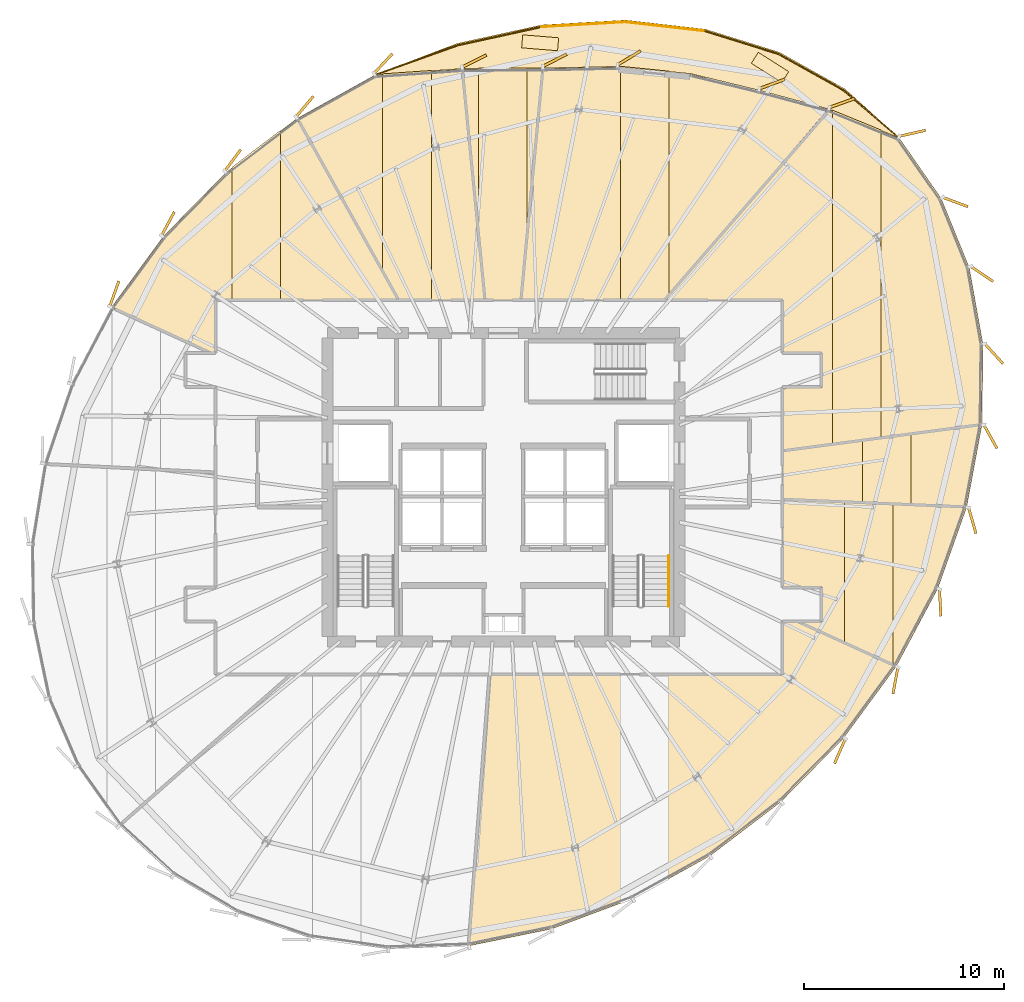
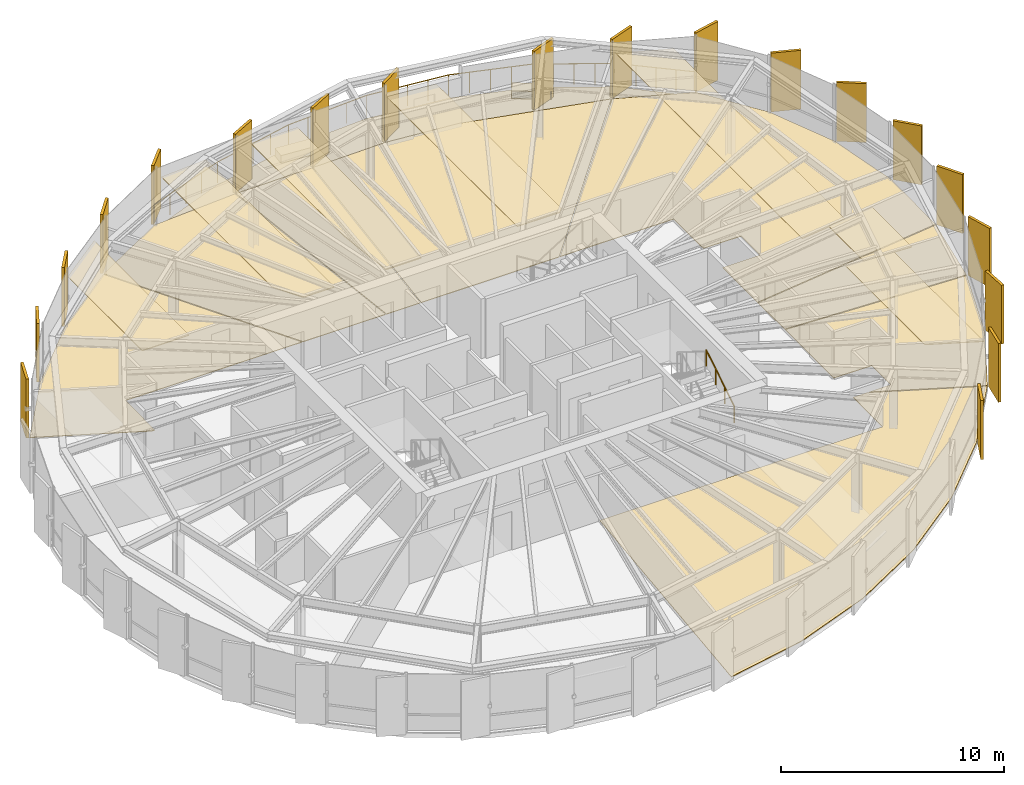
# One storey, part 37 of 37: 37 coverings, 8 railings.
"""IFC4 building model written with IfcOpenShell, lengths in metres."""

import ifcopenshell
import ifcopenshell.guid

model = None  # the IFC model being written
_history = None  # IfcOwnerHistory: only IFC2X3 demands one
_inside = {}  # id of a spatial element -> (the spatial element, [elements in it])
_under = {}  # id of a project, library or spatial element -> (it, [spatial elements below it])
_declared = {}  # id of a project -> (the project, [libraries it declares])
_typed = {}  # id of a type object -> (the type object, [elements of that type])
_made_of = {}  # id of a material, layer set ... -> (it, [elements and type objects made of it])


def new_model(schema):
    """Start an empty IFC model of exactly this schema.

    Asked for "IFC4X3", IfcOpenShell would pick the latest addendum, in which some entities
    have other attributes; the version numbers below select the first issue.
    IFC2X3 requires an IfcOwnerHistory on every rooted entity: one is made here for all.
    """
    global model, _history
    if schema == "IFC4X3":
        model = ifcopenshell.file(schema_version=(4, 3, 0, 0))
    else:
        model = ifcopenshell.file(schema=schema)
    _inside.clear()
    _under.clear()
    _declared.clear()
    _typed.clear()
    _made_of.clear()
    _history = None
    if model.schema == "IFC2X3":
        org = make("IfcOrganization", Name="unknown")
        user = make(
            "IfcPersonAndOrganization",
            ThePerson=make("IfcPerson", FamilyName="unknown"),
            TheOrganization=org,
        )
        app = make(
            "IfcApplication",
            ApplicationDeveloper=org,
            Version="unknown",
            ApplicationFullName="unknown",
            ApplicationIdentifier="unknown",
        )
        _history = make(
            "IfcOwnerHistory",
            OwningUser=user,
            OwningApplication=app,
            ChangeAction="ADDED",
            CreationDate=0,
        )
    return model


def make(cls, **values):
    """One entity of the class cls with the attributes given. An attribute that is None is left unset."""
    return model.create_entity(
        cls, **{name: value for name, value in values.items() if value is not None}
    )


def rooted(cls, **values):
    """An entity with a GlobalId (a new one), such as an element, a storey or a relation."""
    return make(cls, GlobalId=ifcopenshell.guid.new(), OwnerHistory=_history, **values)


def si_unit(unit_type, name, prefix=None):
    """IfcSIUnit, for example si_unit("LENGTHUNIT", "METRE", prefix="MILLI")."""
    return make("IfcSIUnit", UnitType=unit_type, Prefix=prefix, Name=name)


def assignment(units):
    """IfcUnitAssignment: the units of a project."""
    return None if units is None else make("IfcUnitAssignment", Units=units)


def point(xyz):
    """IfcCartesianPoint."""
    return None if xyz is None else make("IfcCartesianPoint", Coordinates=xyz)


def direction(xyz):
    """IfcDirection."""
    return None if xyz is None else make("IfcDirection", DirectionRatios=xyz)


def frame(location, z_axis=None, x_axis=None):
    """IfcAxis2Placement3D, a coordinate frame: its origin and axes. An axis left out is left unset."""
    return make(
        "IfcAxis2Placement3D",
        Location=point(location),
        Axis=direction(z_axis),
        RefDirection=direction(x_axis),
    )


def frame_2d(location, x_axis=None):
    """IfcAxis2Placement2D, a coordinate frame in the plane: its origin and x axis."""
    return make(
        "IfcAxis2Placement2D", Location=point(location), RefDirection=direction(x_axis)
    )


def origin():
    """The frame at (0, 0, 0) with its axes left unset."""
    return frame((0.0, 0.0, 0.0))


def origin_2d():
    """The frame at (0, 0) in the plane with its x axis left unset."""
    return frame_2d((0.0, 0.0))


def place(relative_to, where):
    """IfcLocalPlacement: puts the frame where relative to a parent placement (None: the world)."""
    return make(
        "IfcLocalPlacement", PlacementRelTo=relative_to, RelativePlacement=where
    )


def context(
    kind, dimensions, precision=None, world=None, true_north=None, identifier=None
):
    """IfcGeometricRepresentationContext, for example the 3D "Model" context."""
    return make(
        "IfcGeometricRepresentationContext",
        ContextIdentifier=identifier,
        ContextType=kind,
        CoordinateSpaceDimension=dimensions,
        Precision=precision,
        WorldCoordinateSystem=world,
        TrueNorth=true_north,
    )


def subcontext(parent, identifier, kind, view, scale=None):
    """IfcGeometricRepresentationSubContext, for example "Body" below "Model"."""
    return make(
        "IfcGeometricRepresentationSubContext",
        ContextIdentifier=identifier,
        ContextType=kind,
        ParentContext=parent,
        TargetScale=scale,
        TargetView=view,
    )


def project(units=None, contexts=None):
    """IfcProject with its units and contexts."""
    return rooted(
        "IfcProject",
        Name="project",
        RepresentationContexts=contexts,
        UnitsInContext=assignment(units),
    )


def spatial(cls, under=None, at=None, **own):
    """A site, building, storey or space (cls), placed at a placement, below another one or the project."""
    s = rooted(cls, ObjectPlacement=at, **own)
    if under is not None:
        _under.setdefault(under.id(), (under, []))[1].append(s)
    return s


def polyline(points):
    """IfcPolyline through the points."""
    return make("IfcPolyline", Points=[point(p) for p in points])


def profile(cls, at=None, kind="AREA", **sizes):
    """A parametric profile (cls). Its sizes go by their IFC names, for example OverallWidth=200.0."""
    return make(cls, ProfileType=kind, Position=at, **sizes)


def rectangle(**sizes):
    """IfcRectangleProfileDef."""
    return profile("IfcRectangleProfileDef", **sizes)


def circle(**sizes):
    """IfcCircleProfileDef."""
    return profile("IfcCircleProfileDef", **sizes)


def outline(outer, holes=None, kind="AREA"):
    """IfcArbitraryClosedProfileDef: a profile drawn as a closed curve; with holes, ...WithVoids."""
    if holes is None:
        return make("IfcArbitraryClosedProfileDef", ProfileType=kind, OuterCurve=outer)
    return make(
        "IfcArbitraryProfileDefWithVoids",
        ProfileType=kind,
        OuterCurve=outer,
        InnerCurves=holes,
    )


def extrude(swept, where, along, depth):
    """IfcExtrudedAreaSolid: the profile swept, set in the frame where, extruded along a direction by depth."""
    return make(
        "IfcExtrudedAreaSolid",
        SweptArea=swept,
        Position=where,
        ExtrudedDirection=direction(along),
        Depth=depth,
    )


def shape(context_of_items, identifier, shape_type, items):
    """IfcShapeRepresentation: the items that make up one representation, for example the "Body"."""
    return make(
        "IfcShapeRepresentation",
        ContextOfItems=context_of_items,
        RepresentationIdentifier=identifier,
        RepresentationType=shape_type,
        Items=items,
    )


def source(mapping_origin, context_of_items, identifier, shape_type, items):
    """IfcRepresentationMap: a shape defined once, which mapped items show again and again."""
    return make(
        "IfcRepresentationMap",
        MappingOrigin=mapping_origin,
        MappedRepresentation=shape(context_of_items, identifier, shape_type, items),
    )


def transform(
    local_origin,
    x_axis=None,
    y_axis=None,
    z_axis=None,
    scale=None,
    scale2=None,
    scale3=None,
    uniform=True,
):
    """IfcCartesianTransformationOperator3D, or its non-uniform kind. x_axis, y_axis, z_axis: its Axis1, 2, 3."""
    if uniform:
        return make(
            "IfcCartesianTransformationOperator3D",
            Axis1=direction(x_axis),
            Axis2=direction(y_axis),
            LocalOrigin=point(local_origin),
            Scale=scale,
            Axis3=direction(z_axis),
        )
    return make(
        "IfcCartesianTransformationOperator3DnonUniform",
        Axis1=direction(x_axis),
        Axis2=direction(y_axis),
        LocalOrigin=point(local_origin),
        Scale=scale,
        Axis3=direction(z_axis),
        Scale2=scale2,
        Scale3=scale3,
    )


def mapped(mapping_source, mapping_target):
    """IfcMappedItem: shows the shape of a source again, moved by a transform."""
    return make(
        "IfcMappedItem", MappingSource=mapping_source, MappingTarget=mapping_target
    )


def material(Name=None, Category=None):
    """IfcMaterial."""
    return make("IfcMaterial", Name=Name, Category=Category)


def layer(
    of_material, thickness, ventilated=None, Name=None, Category=None, Priority=None
):
    """IfcMaterialLayer: one layer of a wall or slab, of a material (None: an air gap)."""
    return make(
        "IfcMaterialLayer",
        Material=of_material,
        LayerThickness=thickness,
        IsVentilated=ventilated,
        Name=Name,
        Category=Category,
        Priority=Priority,
    )


def layer_set(layers, Name=None):
    """IfcMaterialLayerSet."""
    return make("IfcMaterialLayerSet", MaterialLayers=layers, LayerSetName=Name)


def made_of(thing, what):
    """Note that an element or type object is made of a material, layer set ...; save() writes the relation."""
    if what is not None:
        _made_of.setdefault(what.id(), (what, []))[1].append(thing)
    return thing


def type_object(cls, material=None, **own):
    """A type object (cls), such as IfcWallType, which elements share."""
    return made_of(rooted(cls, **own), material)


def element(
    cls,
    number,
    at=None,
    inside=None,
    cuts=None,
    type_object=None,
    material=None,
    context=None,
    identifier="Body",
    shape_type=None,
    held_by="IfcProductDefinitionShape",
    body=None,
    shapes=None,
    **own,
):
    """One element of the class cls, such as IfcWall. Its Tag is "e" and its number.

    at: its placement. inside: the storey or other place that contains it. cuts: it is an
    opening in that element (IfcRelVoidsElement). A single representation is given by context,
    identifier, shape_type and body (its items); several are given by shapes. held_by: the class
    of the entity that holds the representations. save() writes the other relations.
    """
    e = rooted(cls, Tag="e%d" % number, ObjectPlacement=at, **own)
    if body is not None:
        shapes = [shape(context, identifier, shape_type, body)]
    if shapes is not None:
        e.Representation = make(held_by, Representations=shapes)
    if inside is not None:
        _inside.setdefault(inside.id(), (inside, []))[1].append(e)
    if cuts is not None:
        rooted(
            "IfcRelVoidsElement", RelatingBuildingElement=cuts, RelatedOpeningElement=e
        )
    if type_object is not None:
        _typed.setdefault(type_object.id(), (type_object, []))[1].append(e)
    return made_of(e, material)


def aggregate(whole, parts):
    """IfcRelAggregates: a whole, such as a stair, and the parts it consists of."""
    return rooted("IfcRelAggregates", RelatingObject=whole, RelatedObjects=parts)


def save(model, path):
    """Write the relations noted so far, then the file.

    IfcRelAggregates (storeys below a building ...), IfcRelContainedInSpatialStructure (elements
    in a storey), IfcRelDefinesByType, IfcRelAssociatesMaterial and IfcRelDeclares: one each for
    every whole, place, type object, material and project.
    """
    for whole, parts in _under.values():
        aggregate(whole, parts)
    for where, things in _inside.values():
        rooted(
            "IfcRelContainedInSpatialStructure",
            RelatedElements=things,
            RelatingStructure=where,
        )
    for kind, things in _typed.values():
        rooted("IfcRelDefinesByType", RelatedObjects=things, RelatingType=kind)
    for what, things in _made_of.values():
        rooted("IfcRelAssociatesMaterial", RelatedObjects=things, RelatingMaterial=what)
    for by, libraries in _declared.values():
        rooted("IfcRelDeclares", RelatingContext=by, RelatedDefinitions=libraries)
    model.write(path)


model = new_model("IFC4")

# Units and contexts
model_context = context("Model", 3, precision=1e-05, world=origin(), true_north=direction((0.0, 1.0)))
body_context = subcontext(model_context, "Body", "Model", "MODEL_VIEW")
ifc_project = project(units=[si_unit("LENGTHUNIT", "METRE"), si_unit("AREAUNIT", "SQUARE_METRE"), si_unit("VOLUMEUNIT", "CUBIC_METRE"), si_unit("PLANEANGLEUNIT", "RADIAN"), si_unit("MASSUNIT", "GRAM", prefix="KILO"), si_unit("THERMODYNAMICTEMPERATUREUNIT", "KELVIN")], contexts=[model_context])

# Site, building, storey
site_placement = place(None, origin())
site = spatial("IfcSite", under=ifc_project, at=site_placement, CompositionType="ELEMENT")
building_placement = place(site_placement, origin())
building = spatial("IfcBuilding", under=site, at=building_placement, Name="Kethvar Cultural Tower", CompositionType="ELEMENT")
storey_placement = place(building_placement, frame((0.0, 0.0, 200.89990234375)))
storey = spatial("IfcBuildingStorey", under=building, at=storey_placement, Name="L52", CompositionType="ELEMENT", Elevation=200.89990234375)

# Coverings
ifc_material_1 = material(Name="Acoustic Mineral Fibre Ceiling")
ifc_layer_1 = layer(ifc_material_1, 0.0400390625, Name="Acoustic Mineral Fibre Ceiling")
ifc_layer_set_1 = layer_set([ifc_layer_1], Name="Acoustic Mineral Fibre Ceiling (40 mm)")
covering_type_1 = type_object("IfcCoveringType", Name="CV-ACOUSTIC-CEIL", PredefinedType="CEILING", material=ifc_layer_set_1)
covering_1_placement = place(storey_placement, frame((0.0, 0.0, 2.4501953125)))
element("IfcCovering", 1, at=covering_1_placement, inside=storey, type_object=covering_type_1, Name="L52 Room 03 Acoustic Ceiling Panel", PredefinedType="CEILING", context=body_context, shape_type="SweptSolid", body=[
    extrude(outline(polyline([(63.847900390625, 19.999267578125), (63.847900390625, 27.0830078125), (66.278076171875, 26.97802734375), (66.278076171875, 18.890380859375), (63.847900390625, 19.999267578125)])), origin(), (0.0, 0.0, 1.0), 0.039794921875),
])
covering_2_placement = place(storey_placement, frame((0.0, 0.0, 2.4501953125)))
element("IfcCovering", 2, at=covering_2_placement, inside=storey, type_object=covering_type_1, Name="L52 Room 04 Acoustic Ceiling Panel", PredefinedType="CEILING", context=body_context, shape_type="SweptSolid", body=[
    extrude(outline(polyline([(64.745361328125, 27.00439453125), (64.745361328125, 30.160400390625), (67.17529296875, 30.477294921875), (67.17529296875, 26.8994140625), (64.745361328125, 27.00439453125)])), origin(), (0.0, 0.0, 1.0), 0.039794921875),
])
covering_3_placement = place(storey_placement, frame((0.0, 0.0, 2.4501953125)))
element("IfcCovering", 3, at=covering_3_placement, inside=storey, type_object=covering_type_1, Name="L52 Room 05 Acoustic Ceiling Panel", PredefinedType="CEILING", context=body_context, shape_type="SweptSolid", body=[
    extrude(outline(polyline([(63.238037109375, 29.923583984375), (63.238037109375, 46.652587890625), (65.668212890625, 45.6572265625), (65.668212890625, 30.240478515625), (63.238037109375, 29.923583984375)])), origin(), (0.0, 0.0, 1.0), 0.039794921875),
])
covering_4_placement = place(storey_placement, frame((0.0, 0.0, 2.4501953125)))
element("IfcCovering", 4, at=covering_4_placement, inside=storey, type_object=covering_type_1, Name="L52 Room 06 Acoustic Ceiling Panel", PredefinedType="CEILING", context=body_context, shape_type="SweptSolid", body=[
    extrude(outline(polyline([(55.072021484375, 48.59765625), (55.072021484375, 37.379638671875), (54.849853515625, 37.130126953125), (52.64208984375, 37.1298828125), (52.64208984375, 48.840576171875), (55.072021484375, 48.59765625)])), origin(), (0.0, 0.0, 1.0), 0.039794921875),
])
covering_5_placement = place(storey_placement, frame((0.0, 0.0, 2.4501953125)))
element("IfcCovering", 5, at=covering_5_placement, inside=storey, type_object=covering_type_1, Name="L52 Room 07 Acoustic Ceiling Panel", PredefinedType="CEILING", context=body_context, shape_type="SweptSolid", body=[
    extrude(outline(polyline([(47.696044921875, 37.148193359375), (45.86181640625, 37.14599609375), (45.550048828125, 40.31640625), (45.550048828125, 48.7451171875), (47.97998046875, 48.763671875), (47.97998046875, 40.179443359375), (47.696044921875, 37.148193359375)])), origin(), (0.0, 0.0, 1.0), 0.039794921875),
])
covering_6_placement = place(storey_placement, frame((0.0, 0.0, 2.4501953125)))
element("IfcCovering", 6, at=covering_6_placement, inside=storey, type_object=covering_type_1, Name="L52 Room 08 Acoustic Ceiling Panel", PredefinedType="CEILING", context=body_context, shape_type="SweptSolid", body=[
    extrude(outline(polyline([(43.194091796875, 48.631103515625), (43.194091796875, 37.1298828125), (41.565185546875, 37.130126953125), (40.763916015625, 38.5439453125), (40.763916015625, 48.4619140625), (43.194091796875, 48.631103515625)])), origin(), (0.0, 0.0, 1.0), 0.039794921875),
])
covering_7_placement = place(storey_placement, frame((0.0, 0.0, 2.4501953125)))
element("IfcCovering", 7, at=covering_7_placement, inside=storey, type_object=covering_type_1, Name="L52 Room 09 Acoustic Ceiling Panel", PredefinedType="CEILING", context=body_context, shape_type="SweptSolid", body=[
    extrude(outline(polyline([(35.666259765625, 45.65234375), (35.666259765625, 37.1298828125), (33.236328125, 37.1298828125), (33.236328125, 43.80078125), (35.666259765625, 45.65234375)])), origin(), (0.0, 0.0, 1.0), 0.039794921875),
])
ifc_material_2 = material(Name="Insulated Waterproofing Membrane")
ifc_layer_2 = layer(ifc_material_2, 0.06005859375, Name="Insulated Waterproofing Membrane")
ifc_layer_set_2 = layer_set([ifc_layer_2], Name="Insulated Waterproofing Membrane (60 mm)")
covering_type_2 = type_object("IfcCoveringType", Name="CV-ROOF-MEMB", PredefinedType="ROOFING", material=ifc_layer_set_2)
covering_8_placement = place(storey_placement, frame((0.0, 0.0, -0.27490234375)))
element("IfcCovering", 8, at=covering_8_placement, inside=storey, type_object=covering_type_2, Name="L52 Terrace Waterproofing", PredefinedType="ROOFING", context=body_context, shape_type="SweptSolid", body=[
    extrude(outline(polyline([(66.598388671875, 45.254638671875), (63.874755859375, 47.71044921875), (60.608642578125, 49.54052734375), (56.907470703125, 50.6962890625), (52.896240234375, 51.15380859375), (48.710205078125, 50.910888671875), (44.489013671875, 49.986083984375), (40.368896484375, 48.414306640625), (44.744384765625, 48.718994140625), (48.762939453125, 48.749755859375), (52.544921875, 48.830078125), (56.157958984375, 48.468994140625), (59.573486328125, 47.642333984375), (63.068359375, 46.700439453125), (66.598388671875, 45.254638671875)])), origin(), (0.0, 0.0, 1.0), 0.06005859375),
])
ifc_material_3 = material(Name="Honed Warm Limestone", Category="masonry")
ifc_layer_3 = layer(ifc_material_3, 0.030029296875, Name="Honed Warm Limestone", Category="masonry")
ifc_layer_set_3 = layer_set([ifc_layer_3], Name="Honed Warm Limestone (30 mm)")
covering_type_3 = type_object("IfcCoveringType", Name="CV-STONE-FLOOR", PredefinedType="FLOORING", material=ifc_layer_set_3)
covering_9_placement = place(storey_placement, origin())
element("IfcCovering", 9, at=covering_9_placement, inside=storey, type_object=covering_type_3, Name="L52 Room 02 Floor Finish", PredefinedType="FLOORING", context=body_context, shape_type="SweptSolid", body=[
    extrude(outline(polyline([(63.790283203125, 15.259521484375), (60.661865234375, 12.07666015625), (57.11962890625, 9.37841796875), (53.263916015625, 7.240234375), (49.211669921875, 5.726806640625), (45.110595703125, 4.88916015625), (46.120849609375, 18.429931640625), (60.75390625, 18.430419921875), (60.77001953125, 21.080078125), (61.479248046875, 21.080078125), (66.414794921875, 18.827880859375), (63.790283203125, 15.259521484375)])), origin(), (0.0, 0.0, 1.0), 0.030029296875),
])
covering_10_placement = place(storey_placement, origin())
element("IfcCovering", 10, at=covering_10_placement, inside=storey, type_object=covering_type_3, Name="L52 Room 03 Floor Finish", PredefinedType="FLOORING", context=body_context, shape_type="SweptSolid", body=[
    extrude(outline(polyline([(68.503173828125, 22.734619140625), (66.436767578125, 18.86181640625), (61.57568359375, 21.080078125), (62.716552734375, 21.0888671875), (62.719970703125, 22.802001953125), (60.77001953125, 22.820068359375), (60.77001953125, 27.176025390625), (69.940185546875, 26.77978515625), (68.503173828125, 22.734619140625)])), origin(), (0.0, 0.0, 1.0), 0.030029296875),
])
covering_11_placement = place(storey_placement, origin())
element("IfcCovering", 11, at=covering_11_placement, inside=storey, type_object=covering_type_3, Name="L52 Room 04 Floor Finish", PredefinedType="FLOORING", context=body_context, shape_type="SweptSolid", body=[
    extrude(outline(polyline([(69.95166015625, 26.8193359375), (60.77001953125, 27.21630859375), (60.77001953125, 29.6015625), (70.708984375, 30.897705078125), (69.95166015625, 26.8193359375)])), origin(), (0.0, 0.0, 1.0), 0.030029296875),
])
covering_12_placement = place(storey_placement, origin())
element("IfcCovering", 12, at=covering_12_placement, inside=storey, type_object=covering_type_3, Name="L52 Room 05 Floor Finish", PredefinedType="FLOORING", context=body_context, shape_type="SweptSolid", body=[
    extrude(outline(polyline([(70.080322265625, 38.769287109375), (70.7626953125, 34.956298828125), (70.7138671875, 30.938720703125), (60.77001953125, 29.64208984375), (60.77001953125, 32.780029296875), (62.712646484375, 32.784423828125), (62.719970703125, 34.5), (60.77001953125, 34.52001953125), (60.765380859375, 37.16259765625), (54.8916015625, 37.169921875), (63.07421875, 46.676513671875), (66.58544921875, 45.23828125), (68.67578125, 42.235107421875), (70.080322265625, 38.769287109375)])), origin(), (0.0, 0.0, 1.0), 0.030029296875),
])
covering_13_placement = place(storey_placement, origin())
element("IfcCovering", 13, at=covering_13_placement, inside=storey, type_object=covering_type_3, Name="L52 Room 06 Floor Finish", PredefinedType="FLOORING", context=body_context, shape_type="SweptSolid", body=[
    extrude(outline(polyline([(52.5439453125, 48.810302734375), (56.154541015625, 48.44921875), (63.032470703125, 46.689453125), (54.8388671875, 37.169921875), (47.697998046875, 37.169921875), (48.78125, 48.72998046875), (52.5439453125, 48.810302734375)])), origin(), (0.0, 0.0, 1.0), 0.030029296875),
])
covering_14_placement = place(storey_placement, origin())
element("IfcCovering", 14, at=covering_14_placement, inside=storey, type_object=covering_type_3, Name="L52 Room 07 Floor Finish", PredefinedType="FLOORING", context=body_context, shape_type="SweptSolid", body=[
    extrude(outline(polyline([(48.740966796875, 48.7294921875), (47.657958984375, 37.169921875), (45.8994140625, 37.169921875), (44.7666015625, 48.69921875), (48.740966796875, 48.7294921875)])), origin(), (0.0, 0.0, 1.0), 0.030029296875),
])
covering_15_placement = place(storey_placement, origin())
element("IfcCovering", 15, at=covering_15_placement, inside=storey, type_object=covering_type_3, Name="L52 Room 08 Floor Finish", PredefinedType="FLOORING", context=body_context, shape_type="SweptSolid", body=[
    extrude(outline(polyline([(40.374755859375, 48.39453125), (44.7265625, 48.69775390625), (45.859130859375, 37.169921875), (41.578857421875, 37.169921875), (36.504150390625, 46.2373046875), (40.374755859375, 48.39453125)])), origin(), (0.0, 0.0, 1.0), 0.030029296875),
])
covering_16_placement = place(storey_placement, origin())
element("IfcCovering", 16, at=covering_16_placement, inside=storey, type_object=covering_type_3, Name="L52 Room 09 Floor Finish", PredefinedType="FLOORING", context=body_context, shape_type="SweptSolid", body=[
    extrude(outline(polyline([(29.817138671875, 40.34716796875), (32.938232421875, 43.523193359375), (36.470703125, 46.215087890625), (41.532958984375, 37.169921875), (32.394287109375, 37.169189453125), (32.3798828125, 34.52001953125), (32.210205078125, 34.52001953125), (27.22607421875, 36.80810546875), (29.817138671875, 40.34716796875)])), origin(), (0.0, 0.0, 1.0), 0.030029296875),
])

# Railings
ifc_material_4 = material(Name="Steel S355J2", Category="steel")
railing_type_1 = type_object("IfcRailingType", Name="RL-EXT-GUARD-1150", PredefinedType="BALUSTRADE", material=ifc_material_4)
railing_1_placement = place(storey_placement, frame((66.598388671875, 45.254638671875, 0.0)))
element("IfcRailing", 17, at=railing_1_placement, inside=storey, type_object=railing_type_1, Name="L52 Spiralling Terrace Balustrade 01", PredefinedType="BALUSTRADE", context=body_context, shape_type="SweptSolid", body=[
    extrude(circle(Radius=0.02392578125, at=origin_2d()), frame((0.0, 0.0, 1.1259765625), z_axis=(-0.760646307448, 0.649166538698, 0.0), x_axis=(-0.649166538698, -0.760646307448, 0.0)), (0.0, 0.0, 1.0), 3.666015625),
    extrude(circle(Radius=0.02099609375, at=origin_2d()), origin(), (0.0, 0.0, 1.0), 1.101806640625),
    extrude(circle(Radius=0.02099609375, at=origin_2d()), frame((-0.697265625, 0.594970703125, 0.0)), (0.0, 0.0, 1.0), 1.101806640625),
    extrude(circle(Radius=0.02099609375, at=origin_2d()), frame((-1.394287109375, 1.18994140625, 0.0)), (0.0, 0.0, 1.0), 1.101806640625),
    extrude(circle(Radius=0.02099609375, at=origin_2d()), frame((-2.09130859375, 1.784912109375, 0.0)), (0.0, 0.0, 1.0), 1.101806640625),
    extrude(circle(Radius=0.02099609375, at=origin_2d()), frame((-2.78857421875, 2.3798828125, 0.0)), (0.0, 0.0, 1.0), 1.101806640625),
])
railing_2_placement = place(storey_placement, frame((63.809814453125, 47.634521484375, 0.0)))
element("IfcRailing", 18, at=railing_2_placement, inside=storey, type_object=railing_type_1, Name="L52 Spiralling Terrace Balustrade 02", PredefinedType="BALUSTRADE", context=body_context, shape_type="SweptSolid", body=[
    extrude(circle(Radius=0.02392578125, at=origin_2d()), frame((0.0, 0.0, 1.1259765625), z_axis=(-0.872643269144, 0.488358193151, 0.0), x_axis=(-0.488358193151, -0.872643269144, 0.0)), (0.0, 0.0, 1.0), 3.72998046875),
    extrude(circle(Radius=0.02099609375, at=origin_2d()), origin(), (0.0, 0.0, 1.0), 1.101806640625),
    extrude(circle(Radius=0.02099609375, at=origin_2d()), frame((-0.813720703125, 0.455322265625, 0.0)), (0.0, 0.0, 1.0), 1.101806640625),
    extrude(circle(Radius=0.02099609375, at=origin_2d()), frame((-1.62744140625, 0.91064453125, 0.0)), (0.0, 0.0, 1.0), 1.101806640625),
    extrude(circle(Radius=0.02099609375, at=origin_2d()), frame((-2.441162109375, 1.3662109375, 0.0)), (0.0, 0.0, 1.0), 1.101806640625),
    extrude(circle(Radius=0.02099609375, at=origin_2d()), frame((-3.2548828125, 1.821533203125, 0.0)), (0.0, 0.0, 1.0), 1.101806640625),
])
railing_3_placement = place(storey_placement, frame((60.554931640625, 49.4560546875, 0.0)))
element("IfcRailing", 19, at=railing_3_placement, inside=storey, type_object=railing_type_1, Name="L52 Spiralling Terrace Balustrade 03", PredefinedType="BALUSTRADE", context=body_context, shape_type="SweptSolid", body=[
    extrude(circle(Radius=0.02392578125, at=origin_2d()), frame((0.0, 0.0, 1.1259765625), z_axis=(-0.954737172641, 0.297450720586, 0.0), x_axis=(-0.297450720586, -0.954737172641, 0.0)), (0.0, 0.0, 1.0), 3.862548828125),
    extrude(circle(Radius=0.02099609375, at=origin_2d()), origin(), (0.0, 0.0, 1.0), 1.101806640625),
    extrude(circle(Radius=0.02099609375, at=origin_2d()), frame((-0.921875, 0.287109375, 0.0)), (0.0, 0.0, 1.0), 1.101806640625),
    extrude(circle(Radius=0.02099609375, at=origin_2d()), frame((-1.84375, 0.574462890625, 0.0)), (0.0, 0.0, 1.0), 1.101806640625),
    extrude(circle(Radius=0.02099609375, at=origin_2d()), frame((-2.765869140625, 0.86181640625, 0.0)), (0.0, 0.0, 1.0), 1.101806640625),
    extrude(circle(Radius=0.02099609375, at=origin_2d()), frame((-3.687744140625, 1.14892578125, 0.0)), (0.0, 0.0, 1.0), 1.101806640625),
])
railing_4_placement = place(storey_placement, frame((56.8671875, 50.60498046875, 0.0)))
element("IfcRailing", 20, at=railing_4_placement, inside=storey, type_object=railing_type_1, Name="L52 Spiralling Terrace Balustrade 04", PredefinedType="BALUSTRADE", context=body_context, shape_type="SweptSolid", body=[
    extrude(circle(Radius=0.02392578125, at=origin_2d()), frame((0.0, 0.0, 1.1259765625), z_axis=(-0.993667170932, 0.112363487898, 0.0), x_axis=(-0.112363487898, -0.993667170932, 0.0)), (0.0, 0.0, 1.0), 4.021728515625),
    extrude(circle(Radius=0.02099609375, at=origin_2d()), origin(), (0.0, 0.0, 1.0), 1.101806640625),
    extrude(circle(Radius=0.02099609375, at=origin_2d()), frame((-0.9990234375, 0.113037109375, 0.0)), (0.0, 0.0, 1.0), 1.101806640625),
    extrude(circle(Radius=0.02099609375, at=origin_2d()), frame((-1.998046875, 0.22607421875, 0.0)), (0.0, 0.0, 1.0), 1.101806640625),
    extrude(circle(Radius=0.02099609375, at=origin_2d()), frame((-2.997314453125, 0.3388671875, 0.0)), (0.0, 0.0, 1.0), 1.101806640625),
    extrude(circle(Radius=0.02099609375, at=origin_2d()), frame((-3.996337890625, 0.451904296875, 0.0)), (0.0, 0.0, 1.0), 1.101806640625),
])
railing_5_placement = place(storey_placement, frame((52.870849609375, 51.056884765625, 0.0)))
element("IfcRailing", 21, at=railing_5_placement, inside=storey, type_object=railing_type_1, Name="L52 Spiralling Terrace Balustrade 05", PredefinedType="BALUSTRADE", context=body_context, shape_type="SweptSolid", body=[
    extrude(circle(Radius=0.02392578125, at=origin_2d()), frame((0.0, 0.0, 1.1259765625), z_axis=(-0.998269127925, -0.058811123372, 0.0), x_axis=(0.058811123372, -0.998269127925, 0.0)), (0.0, 0.0, 1.0), 4.17626953125),
    extrude(circle(Radius=0.02099609375, at=origin_2d()), origin(), (0.0, 0.0, 1.0), 1.101806640625),
    extrude(circle(Radius=0.02099609375, at=origin_2d()), frame((-1.042236328125, -0.0615234375, 0.0)), (0.0, 0.0, 1.0), 1.101806640625),
    extrude(circle(Radius=0.02099609375, at=origin_2d()), frame((-2.08447265625, -0.122802734375, 0.0)), (0.0, 0.0, 1.0), 1.101806640625),
    extrude(circle(Radius=0.02099609375, at=origin_2d()), frame((-3.126708984375, -0.18408203125, 0.0)), (0.0, 0.0, 1.0), 1.101806640625),
    extrude(circle(Radius=0.02099609375, at=origin_2d()), frame((-4.1689453125, -0.24560546875, 0.0)), (0.0, 0.0, 1.0), 1.101806640625),
])
railing_6_placement = place(storey_placement, frame((48.701904296875, 50.811279296875, 0.0)))
element("IfcRailing", 22, at=railing_6_placement, inside=storey, type_object=railing_type_1, Name="L52 Spiralling Terrace Balustrade 06", PredefinedType="BALUSTRADE", context=body_context, shape_type="SweptSolid", body=[
    extrude(circle(Radius=0.02392578125, at=origin_2d()), frame((0.0, 0.0, 1.1259765625), z_axis=(-0.976630891801, -0.214923477496, 0.0), x_axis=(0.214923477496, -0.976630891801, 0.0)), (0.0, 0.0, 1.0), 4.302978515625),
    extrude(circle(Radius=0.02099609375, at=origin_2d()), origin(), (0.0, 0.0, 1.0), 1.101806640625),
    extrude(circle(Radius=0.02099609375, at=origin_2d()), frame((-1.050537109375, -0.231201171875, 0.0)), (0.0, 0.0, 1.0), 1.101806640625),
    extrude(circle(Radius=0.02099609375, at=origin_2d()), frame((-2.10107421875, -0.46240234375, 0.0)), (0.0, 0.0, 1.0), 1.101806640625),
    extrude(circle(Radius=0.02099609375, at=origin_2d()), frame((-3.15185546875, -0.693603515625, 0.0)), (0.0, 0.0, 1.0), 1.101806640625),
    extrude(circle(Radius=0.02099609375, at=origin_2d()), frame((-4.202392578125, -0.9248046875, 0.0)), (0.0, 0.0, 1.0), 1.101806640625),
])
railing_7_placement = place(storey_placement, frame((44.49951171875, 49.886474609375, 0.0)))
element("IfcRailing", 23, at=railing_7_placement, inside=storey, type_object=railing_type_1, Name="L52 Spiralling Terrace Balustrade 07", PredefinedType="BALUSTRADE", context=body_context, shape_type="SweptSolid", body=[
    extrude(circle(Radius=0.02392578125, at=origin_2d()), frame((0.0, 0.0, 1.1259765625), z_axis=(-0.941962141285, -0.335719115311, 0.0), x_axis=(0.335719115311, -0.941962141285, 0.0)), (0.0, 0.0, 1.0), 4.385009765625),
    extrude(circle(Radius=0.02099609375, at=origin_2d()), origin(), (0.0, 0.0, 1.0), 1.101806640625),
    extrude(circle(Radius=0.02099609375, at=origin_2d()), frame((-1.03271484375, -0.3681640625, 0.0)), (0.0, 0.0, 1.0), 1.101806640625),
    extrude(circle(Radius=0.02099609375, at=origin_2d()), frame((-2.0654296875, -0.736083984375, 0.0)), (0.0, 0.0, 1.0), 1.101806640625),
    extrude(circle(Radius=0.02099609375, at=origin_2d()), frame((-3.097900390625, -1.10400390625, 0.0)), (0.0, 0.0, 1.0), 1.101806640625),
    extrude(circle(Radius=0.02099609375, at=origin_2d()), frame((-4.130615234375, -1.47216796875, 0.0)), (0.0, 0.0, 1.0), 1.101806640625),
])
railing_type_2 = type_object("IfcRailingType", Name="RL-STAIR-HANDRAIL", PredefinedType="HANDRAIL", material=ifc_material_4)
railing_8_placement = place(storey_placement, frame((55.06005859375, 21.85009765625, 0.175048828125)))
element("IfcRailing", 24, at=railing_8_placement, inside=storey, type_object=railing_type_2, Name="L52 ST-02 stair handrail 1", PredefinedType="HANDRAIL", context=body_context, shape_type="SweptSolid", body=[
    extrude(circle(Radius=0.02392578125, at=origin_2d()), frame((0.0, 0.0, 0.8759765625), z_axis=(0.0, 0.848007534815, 0.529984170421), x_axis=(-1.0, 0.0, 0.0)), (0.0, 0.0, 1.0), 2.9716796875),
    extrude(circle(Radius=0.02099609375, at=origin_2d()), origin(), (0.0, 0.0, 1.0), 0.851806640625),
    extrude(circle(Radius=0.02099609375, at=origin_2d()), frame((0.0, 0.840087890625, 0.52490234375)), (0.0, 0.0, 1.0), 0.851806640625),
    extrude(circle(Radius=0.02099609375, at=origin_2d()), frame((0.0, 1.679931640625, 1.050048828125)), (0.0, 0.0, 1.0), 0.851806640625),
    extrude(circle(Radius=0.02099609375, at=origin_2d()), frame((0.0, 2.52001953125, 1.574951171875)), (0.0, 0.0, 1.0), 0.851806640625),
])

# Coverings
ifc_material_5 = material(Name="Extruded Architectural Terracotta", Category="masonry")
ifc_layer_4 = layer(ifc_material_5, 0.419921875, Name="Extruded Architectural Terracotta", Category="masonry")
ifc_layer_set_4 = layer_set([ifc_layer_4], Name="Extruded Architectural Terracotta (420 mm)")
covering_type_4 = type_object("IfcCoveringType", Name="Terracotta Terrace Planter PLANTER-01", PredefinedType="USERDEFINED", material=ifc_layer_set_4)
shared_shape_1 = source(origin(), body_context, "Body", "SweptSolid", [
    extrude(rectangle(XDim=1.800048828125, YDim=0.64990234375, at=origin_2d()), origin(), (0.0, 0.0, 1.0), 0.419921875),
])
for number, where, z_axis, x_axis, name in (
    (25, (60.126220703125, 48.78076171875, 0.000244140625), (0.0, 0.0, 1.0), (-0.844140835231, 0.536121488374, 0.0), "L52 Sky Terrace Planter Box A"),
    (26, (48.635986328125, 50.01416015625, 0.000244140625), (0.0, 0.0, 1.0), (-0.9965943473, 0.08246033549, 0.0), "L52 Sky Terrace Planter Box B"),
):
    element("IfcCovering", number, at=place(storey_placement, frame(where, z_axis=z_axis, x_axis=x_axis)), inside=storey, type_object=covering_type_4, Name=name, ObjectType="PLANTER", PredefinedType="USERDEFINED", context=body_context, shape_type="MappedRepresentation", body=[
        mapped(shared_shape_1, transform((0.0, 0.0, 0.0), scale=1.0)),
    ])
ifc_layer_5 = layer(ifc_material_5, 0.135009765625, Name="Extruded Architectural Terracotta", Category="masonry")
ifc_layer_set_5 = layer_set([ifc_layer_5], Name="Extruded Architectural Terracotta (135 mm)")
covering_type_5 = type_object("IfcCoveringType", Name="Terracotta Facade Fin FIN-03", PredefinedType="CLADDING", material=ifc_layer_set_5)
shared_shape_2 = source(origin(), body_context, "Body", "SweptSolid", [
    extrude(rectangle(XDim=1.35009765625, YDim=0.135009765625, at=origin_2d()), origin(), (0.0, 0.0, 1.0), 3.219970703125),
])
for number, where, z_axis, x_axis, name in (
    (27, (67.250732421875, 45.4931640625, 0.02001953125), (0.0, 0.0, 1.0), (0.975110671946, 0.221718689914, 0.0), "L52 Vertical Terracotta Fin 1.1"),
    (28, (63.724609375, 47.00537109375, 0.02001953125), (0.0, 0.0, 1.0), (0.941411696251, 0.337259570896, 0.0), "L52 Vertical Terracotta Fin 1.2"),
    (29, (60.225341796875, 47.954345703125, 0.02001953125), (0.0, 0.0, 1.0), (0.937828368633, 0.347099338788, 0.0), "L52 Vertical Terracotta Fin 1.3"),
    (30, (53.081298828125, 49.259521484375, 0.02001953125), (0.0, 0.0, 1.0), (0.855002400666, 0.51862403999, 0.0), "L52 Vertical Terracotta Fin 2.1"),
    (31, (49.3623046875, 49.138916015625, 0.02001953125), (0.0, 0.0, 1.0), (0.888937213872, 0.458029070905, 0.0), "L52 Vertical Terracotta Fin 2.2"),
    (32, (45.342529296875, 49.10107421875, 0.02001953125), (0.0, 0.0, 1.0), (0.894232371924, 0.447603021665, 0.0), "L52 Vertical Terracotta Fin 2.3"),
    (33, (40.7919921875, 48.976318359375, 0.02001953125), (0.0, 0.0, 1.0), (0.684292606175, 0.729207535023, 0.0), "L52 Vertical Terracotta Fin 2.4"),
    (34, (36.86376953125, 46.824462890625, 0.02001953125), (0.0, 0.0, 1.0), (0.644924300253, 0.764246456939, 0.0), "L52 Vertical Terracotta Fin 2.5"),
    (35, (33.269287109375, 44.136962890625, 0.02001953125), (0.0, 0.0, 1.0), (0.594682478203, 0.803960664534, 0.0), "L52 Vertical Terracotta Fin 2.6"),
    (36, (30.033447265625, 40.970703125, 0.02001953125), (0.0, 0.0, 1.0), (0.47270457414, 0.881220962975, 0.0), "L52 Vertical Terracotta Fin 3.1"),
    (37, (27.351806640625, 37.472900390625, 0.02001953125), (0.0, 0.0, 1.0), (0.336766602676, 0.941588155895, 0.0), "L52 Vertical Terracotta Fin 3.2"),
    (38, (63.62109375, 14.61279296875, 0.02001953125), (0.0, 0.0, 1.0), (-0.403066169295, -0.915170838243, 0.0), "L52 Vertical Terracotta Fin 6.1"),
    (39, (66.39404296875, 18.134521484375, 0.02001953125), (0.0, 0.0, 1.0), (-0.180862465458, -0.983508397823, 0.0), "L52 Vertical Terracotta Fin 6.2"),
    (40, (68.63134765625, 22.025634765625, 0.02001953125), (0.0, 0.0, 1.0), (0.05111586135, -0.998692729882, 0.0), "L52 Vertical Terracotta Fin 6.3"),
    (41, (70.23388671875, 26.135498046875, 0.02001953125), (0.0, 0.0, 1.0), (0.276979261222, -0.960875896697, 0.0), "L52 Vertical Terracotta Fin 6.4"),
    (42, (71.142578125, 30.33056640625, 0.02001953125), (0.0, 0.0, 1.0), (0.487250125725, -0.87326245481, 0.0), "L52 Vertical Terracotta Fin 6.5"),
    (43, (71.31640625, 34.4736328125, 0.02001953125), (0.0, 0.0, 1.0), (0.674173492543, -0.738573017346, 0.0), "L52 Vertical Terracotta Fin 6.6"),
    (44, (70.71826171875, 38.462890625, 0.02001953125), (0.0, 0.0, 1.0), (0.828353770991, -0.560205346355, 0.0), "L52 Vertical Terracotta Fin 7.1"),
    (45, (69.39208984375, 42.055419921875, 0.02001953125), (0.0, 0.0, 1.0), (0.937403606985, -0.348244852958, 0.0), "L52 Vertical Terracotta Fin 7.2"),
):
    element("IfcCovering", number, at=place(storey_placement, frame(where, z_axis=z_axis, x_axis=x_axis)), inside=storey, type_object=covering_type_5, Name=name, PredefinedType="CLADDING", context=body_context, shape_type="MappedRepresentation", body=[
        mapped(shared_shape_2, transform((0.0, 0.0, 0.0), scale=1.0)),
    ])

save(model, "model.ifc")
